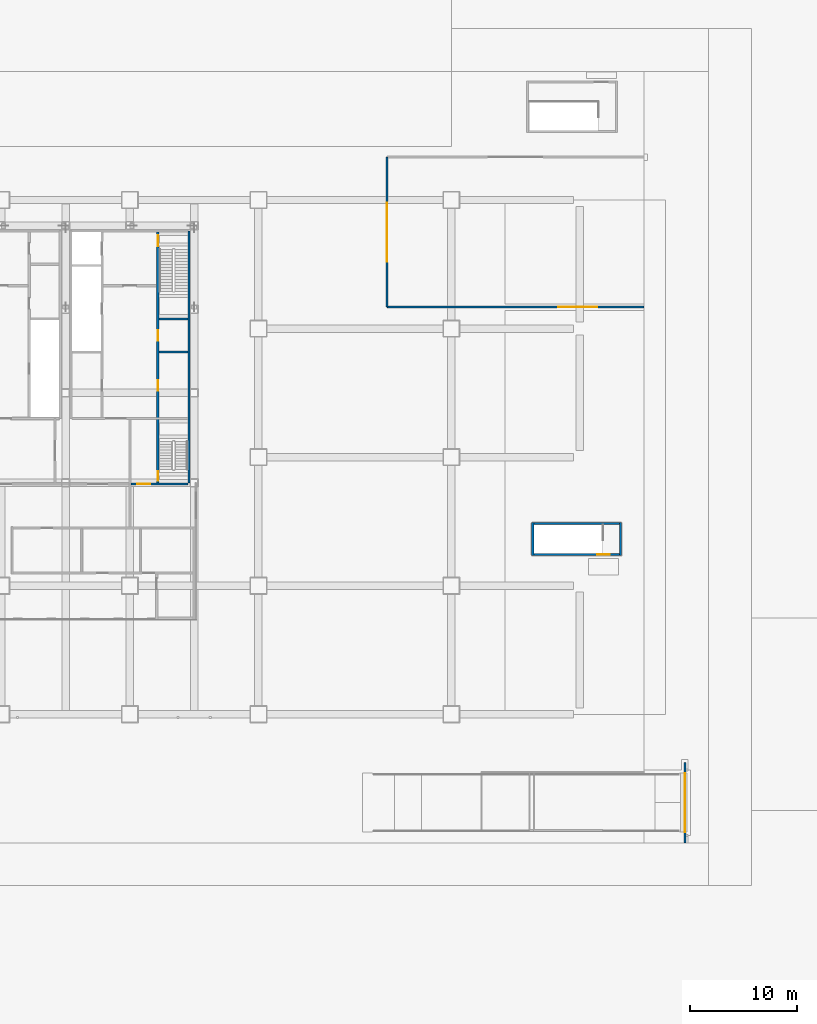
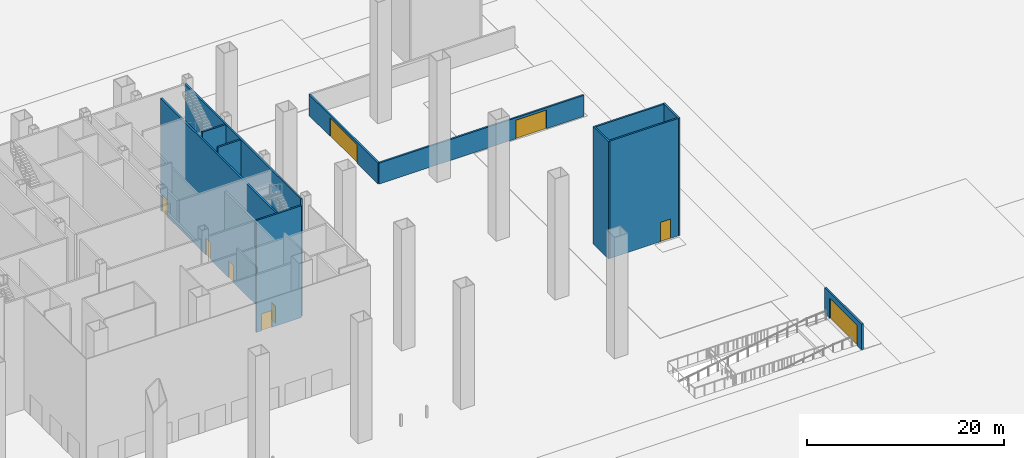
# One storey, part 9 of 22: 12 walls, 9 doors, 9 openings.
"""IFC4 building model written with IfcOpenShell, lengths in metres."""

from ifc_helpers import new_model, si_unit, direction, frame, frame_2d, origin, place, context, subcontext, project, spatial, rectangle, extrude, material, layer, layer_set, type_object, element, fill, save


model = new_model("IFC4")

# Units and contexts
model_context = context("Model", 3, precision=1e-05, world=origin(), true_north=direction((0.0, 1.0)))
body_context = subcontext(model_context, "Body", "Model", "MODEL_VIEW")
ifc_project = project(units=[si_unit("LENGTHUNIT", "METRE"), si_unit("AREAUNIT", "SQUARE_METRE"), si_unit("VOLUMEUNIT", "CUBIC_METRE"), si_unit("PLANEANGLEUNIT", "RADIAN"), si_unit("MASSUNIT", "GRAM", prefix="KILO")], contexts=[model_context])

# Site, building, storey
site_placement = place(None, origin())
site = spatial("IfcSite", under=ifc_project, at=site_placement, CompositionType="ELEMENT")
building_placement = place(site_placement, origin())
building = spatial("IfcBuilding", under=site, at=building_placement, Name="Sorahane Residences", CompositionType="ELEMENT")
storey_placement = place(building_placement, origin())
storey = spatial("IfcBuildingStorey", under=building, at=storey_placement, Name="L00", CompositionType="ELEMENT", Elevation=0.0)

# Walls
ifc_material_1 = material(Name="Concrete C30", Category="concrete")
ifc_layer_1 = layer(ifc_material_1, 0.199951171875)
ifc_layer_set_1 = layer_set([ifc_layer_1], Name="Core face wall 200 EI 180")
wall_type_1 = type_object("IfcWallType", Name="Core face wall 200 EI 180", PredefinedType="SOLIDWALL", material=ifc_layer_set_1)
wall_1_placement = place(storey_placement, frame((41.5, 21.60009765625, 0.0), z_axis=(0.0, 0.0, 1.0), x_axis=(0.0, 1.0, 0.0)))
element("IfcWall", 1, at=wall_1_placement, inside=storey, type_object=wall_type_1, Name="L00 core face wall", PredefinedType="SOLIDWALL", context=body_context, shape_type="SweptSolid", body=[
    extrude(rectangle(XDim=23.5, YDim=0.199951171875, at=frame_2d((11.75, 0.0))), origin(), (0.0, 0.0, 1.0), 14.550048828125),
])
ifc_material_2 = material(Name="Concrete blockwork C20 wall", Category="masonry")
ifc_layer_2 = layer(ifc_material_2, 0.199951171875)
ifc_layer_set_2 = layer_set([ifc_layer_2], Name="Fire wall 200 EI 120")
wall_type_2 = type_object("IfcWallType", Name="Fire wall 200 EI 120", PredefinedType="SOLIDWALL", material=ifc_layer_set_2)
for number, where, z_axis, x_axis, name in (
    (2, (73.60009765625, 14.800048828125, 0.0), (0.0, 0.0, 1.0), (0.0, 1.0, 0.0), "L00 fire wall"),
    (3, (81.800048828125, 14.800048828125, 0.0), (0.0, 0.0, 1.0), (0.0, 1.0, 0.0), "L00 fire wall"),
):
    element("IfcWall", number, at=place(storey_placement, frame(where, z_axis=z_axis, x_axis=x_axis)), inside=storey, type_object=wall_type_2, Name=name, PredefinedType="SOLIDWALL", context=body_context, shape_type="SweptSolid", body=[
        extrude(rectangle(XDim=3.099853515625, YDim=0.199951171875, at=frame_2d((1.5498046875, 0.0))), origin(), (0.0, 0.0, 1.0), 14.550048828125),
    ])

# Wall, opening, door
wall_2_placement = place(storey_placement, frame((73.699951171875, 14.89990234375, 0.0), z_axis=(0.0, 0.0, 1.0), x_axis=(1.0, 0.0, 0.0)))
wall_2 = element("IfcWall", 4, at=wall_2_placement, inside=storey, type_object=wall_type_2, Name="L00 fire wall", PredefinedType="SOLIDWALL", context=body_context, shape_type="SweptSolid", body=[
    extrude(rectangle(XDim=8.0, YDim=0.199951171875, at=frame_2d((4.0, 0.0))), origin(), (0.0, 0.0, 1.0), 14.550048828125),
])
opening_1_placement = place(wall_2_placement, frame((5.89990234375, 0.0, 0.0)))
opening_1 = element("IfcOpeningElement", 5, at=opening_1_placement, cuts=wall_2, Name="Opening L00-09", PredefinedType="OPENING", context=body_context, shape_type="SweptSolid", body=[
    extrude(rectangle(XDim=1.199951171875, YDim=2.39990234375, at=frame_2d((0.60009765625, 1.199951171875))), frame((0.0, 0.10986328125, 0.0), z_axis=(0.0, -1.0, 0.0), x_axis=(1.0, 0.0, 0.0)), (0.0, 0.0, 1.0), 0.219970703125),
])
ifc_material_3 = material(Name="Steel", Category="steel")
door_type_1 = type_object("IfcDoorType", Name="Stair door 1200x2400 FD60", OperationType="NOTDEFINED", PredefinedType="DOOR", material=ifc_material_3)
door_1_placement = place(opening_1_placement, frame((1.199951171875, 0.0, 0.0), z_axis=(0.0, 0.0, 1.0), x_axis=(-1.0, 0.0, 0.0)))
door_1 = element("IfcDoor", 6, at=door_1_placement, inside=storey, type_object=door_type_1, Name="Stair door L00-09", OperationType="SINGLE_SWING_RIGHT", OverallHeight=2.39990234375, OverallWidth=1.199951171875, PredefinedType="DOOR", context=body_context, shape_type="SweptSolid", body=[
    extrude(rectangle(XDim=1.199951171875, YDim=2.39990234375, at=frame_2d((0.60009765625, 1.199951171875))), frame((0.0, 0.02490234375, 0.0), z_axis=(0.0, -1.0, 0.0), x_axis=(1.0, 0.0, 0.0)), (0.0, 0.0, 1.0), 0.050048828125),
])
fill(opening_1, door_1)

# Wall
wall_3_placement = place(storey_placement, frame((73.699951171875, 17.800048828125, 0.0), z_axis=(0.0, 0.0, 1.0), x_axis=(1.0, 0.0, 0.0)))
element("IfcWall", 7, at=wall_3_placement, inside=storey, type_object=wall_type_2, Name="L00 fire wall", PredefinedType="SOLIDWALL", context=body_context, shape_type="SweptSolid", body=[
    extrude(rectangle(XDim=8.0, YDim=0.199951171875, at=frame_2d((4.0, 0.0))), origin(), (0.0, 0.0, 1.0), 14.550048828125),
])

# Wall, opening, door
ifc_material_4 = material(Name="Concrete C30", Category="concrete")
ifc_layer_3 = layer(ifc_material_4, 0.199951171875)
ifc_layer_set_3 = layer_set([ifc_layer_3], Name="Gate screen wall 200 Concrete C30")
wall_type_3 = type_object("IfcWallType", Name="Gate screen wall 200 Concrete C30", PredefinedType="SOLIDWALL", material=ifc_layer_set_3)
wall_4_placement = place(storey_placement, frame((87.800048828125, -12.0, 0.0), z_axis=(0.0, 0.0, 1.0), x_axis=(0.0, 1.0, 0.0)))
wall_4 = element("IfcWall", 8, at=wall_4_placement, inside=storey, type_object=wall_type_3, Name="East ramp portal gate screen", PredefinedType="SOLIDWALL", context=body_context, shape_type="SweptSolid", body=[
    extrude(rectangle(XDim=7.5, YDim=0.199951171875, at=frame_2d((3.75, 0.0))), origin(), (0.0, 0.0, 1.0), 3.199951171875),
])
opening_2_placement = place(wall_4_placement, frame((1.0, 0.0, 0.0)))
opening_2 = element("IfcOpeningElement", 9, at=opening_2_placement, cuts=wall_4, Name="Opening G-E", PredefinedType="OPENING", context=body_context, shape_type="SweptSolid", body=[
    extrude(rectangle(XDim=5.5, YDim=2.5, at=frame_2d((2.75, 1.25))), frame((0.0, 0.10986328125, 0.0), z_axis=(0.0, -1.0, 0.0), x_axis=(1.0, 0.0, 0.0)), (0.0, 0.0, 1.0), 0.219970703125),
])
ifc_material_5 = material(Name="Galvanised steel", Category="steel")
door_type_2 = type_object("IfcDoorType", Name="Vehicle gate sliding 5500x2500 Steel", OperationType="SLIDING_TO_LEFT", PredefinedType="GATE", material=ifc_material_5)
door_2_placement = place(opening_2_placement, origin())
door_2 = element("IfcDoor", 10, at=door_2_placement, inside=storey, type_object=door_type_2, Name="Vehicle gate East ramp portal", OperationType="SLIDING_TO_LEFT", OverallHeight=2.5, OverallWidth=5.5, PredefinedType="GATE", context=body_context, shape_type="SweptSolid", body=[
    extrude(rectangle(XDim=5.5, YDim=2.5, at=frame_2d((2.75, 1.25))), frame((0.0, 0.02490234375, 0.0), z_axis=(0.0, -1.0, 0.0), x_axis=(1.0, 0.0, 0.0)), (0.0, 0.0, 1.0), 0.050048828125),
])
fill(opening_2, door_2)

wall_5_placement = place(storey_placement, frame((60.0, 38.0, 0.0), z_axis=(0.0, 0.0, 1.0), x_axis=(0.0, 1.0, 0.0)))
wall_5 = element("IfcWall", 11, at=wall_5_placement, inside=storey, type_object=wall_type_3, Name="Service yard west gate screen", PredefinedType="SOLIDWALL", context=body_context, shape_type="SweptSolid", body=[
    extrude(rectangle(XDim=14.0, YDim=0.199951171875, at=frame_2d((7.0, 0.0))), origin(), (0.0, 0.0, 1.0), 2.60009765625),
])
opening_3_placement = place(wall_5_placement, frame((4.25, 0.0, 0.0)))
opening_3 = element("IfcOpeningElement", 12, at=opening_3_placement, cuts=wall_5, Name="Opening G-YW", PredefinedType="OPENING", context=body_context, shape_type="SweptSolid", body=[
    extrude(rectangle(XDim=5.5, YDim=2.300048828125, at=frame_2d((2.75, 1.14990234375))), frame((0.0, 0.10986328125, 0.0), z_axis=(0.0, -1.0, 0.0), x_axis=(1.0, 0.0, 0.0)), (0.0, 0.0, 1.0), 0.219970703125),
])
ifc_material_6 = material(Name="Galvanised steel", Category="steel")
door_type_3 = type_object("IfcDoorType", Name="Vehicle gate sliding 5500x2300 Steel", OperationType="SLIDING_TO_LEFT", PredefinedType="GATE", material=ifc_material_6)
door_3_placement = place(opening_3_placement, origin())
door_3 = element("IfcDoor", 13, at=door_3_placement, inside=storey, type_object=door_type_3, Name="Vehicle gate Service yard west", OperationType="SLIDING_TO_LEFT", OverallHeight=2.300048828125, OverallWidth=5.5, PredefinedType="GATE", context=body_context, shape_type="SweptSolid", body=[
    extrude(rectangle(XDim=5.5, YDim=2.300048828125, at=frame_2d((2.75, 1.14990234375))), frame((0.0, 0.02490234375, 0.0), z_axis=(0.0, -1.0, 0.0), x_axis=(1.0, 0.0, 0.0)), (0.0, 0.0, 1.0), 0.050048828125),
])
fill(opening_3, door_3)

wall_6_placement = place(storey_placement, frame((60.0, 38.0, 0.0), z_axis=(0.0, 0.0, 1.0), x_axis=(1.0, 0.0, 0.0)))
wall_6 = element("IfcWall", 14, at=wall_6_placement, inside=storey, type_object=wall_type_3, Name="Loading bay gate screen", PredefinedType="SOLIDWALL", context=body_context, shape_type="SweptSolid", body=[
    extrude(rectangle(XDim=24.0, YDim=0.199951171875, at=frame_2d((12.0, 0.0))), origin(), (0.0, 0.0, 1.0), 2.60009765625),
])
opening_4_placement = place(wall_6_placement, frame((16.0, 0.0, 0.0)))
opening_4 = element("IfcOpeningElement", 15, at=opening_4_placement, cuts=wall_6, Name="Opening G-YS", PredefinedType="OPENING", context=body_context, shape_type="SweptSolid", body=[
    extrude(rectangle(XDim=3.60009765625, YDim=2.300048828125, at=frame_2d((1.800048828125, 1.14990234375))), frame((0.0, 0.10986328125, 0.0), z_axis=(0.0, -1.0, 0.0), x_axis=(1.0, 0.0, 0.0)), (0.0, 0.0, 1.0), 0.219970703125),
])
ifc_material_7 = material(Name="Galvanised steel", Category="steel")
door_type_4 = type_object("IfcDoorType", Name="Vehicle gate sliding 3600x2300 Steel", OperationType="SLIDING_TO_LEFT", PredefinedType="GATE", material=ifc_material_7)
door_4_placement = place(opening_4_placement, origin())
door_4 = element("IfcDoor", 16, at=door_4_placement, inside=storey, type_object=door_type_4, Name="Vehicle gate Loading bay", OperationType="SLIDING_TO_LEFT", OverallHeight=2.300048828125, OverallWidth=3.60009765625, PredefinedType="GATE", context=body_context, shape_type="SweptSolid", body=[
    extrude(rectangle(XDim=3.60009765625, YDim=2.300048828125, at=frame_2d((1.800048828125, 1.14990234375))), frame((0.0, 0.02490234375, 0.0), z_axis=(0.0, -1.0, 0.0), x_axis=(1.0, 0.0, 0.0)), (0.0, 0.0, 1.0), 0.050048828125),
])
fill(opening_4, door_4)

# Wall
ifc_material_8 = material(Name="Concrete C30", Category="concrete")
ifc_layer_4 = layer(ifc_material_8, 0.199951171875)
ifc_layer_set_4 = layer_set([ifc_layer_4], Name="Service room partition 200 EI 60")
wall_type_4 = type_object("IfcWallType", Name="Service room partition 200 EI 60", PredefinedType="PARTITIONING", material=ifc_layer_set_4)
wall_7_placement = place(storey_placement, frame((38.699951171875, 33.800048828125, 0.0), z_axis=(0.0, 0.0, 1.0), x_axis=(1.0, 0.0, 0.0)))
element("IfcWall", 17, at=wall_7_placement, inside=storey, type_object=wall_type_4, Name="L00 service room wall", PredefinedType="PARTITIONING", context=body_context, shape_type="SweptSolid", body=[
    extrude(rectangle(XDim=2.699951171875, YDim=0.199951171875, at=frame_2d((1.35009765625, 0.0))), origin(), (0.0, 0.0, 1.0), 14.550048828125),
])

# Wall, openings, doors
ifc_material_9 = material(Name="Concrete C30", Category="concrete")
ifc_layer_5 = layer(ifc_material_9, 0.199951171875)
ifc_layer_set_5 = layer_set([ifc_layer_5], Name="Stair enclosure wall 200 EI 120")
wall_type_5 = type_object("IfcWallType", Name="Stair enclosure wall 200 EI 120", PredefinedType="SOLIDWALL", material=ifc_layer_set_5)
wall_8_placement = place(storey_placement, frame((38.60009765625, 21.5, 0.0), z_axis=(0.0, 0.0, 1.0), x_axis=(0.0, 1.0, 0.0)))
wall_8 = element("IfcWall", 18, at=wall_8_placement, inside=storey, type_object=wall_type_5, Name="L00 stair enclosure wall", PredefinedType="SOLIDWALL", context=body_context, shape_type="SweptSolid", body=[
    extrude(rectangle(XDim=23.5, YDim=0.199951171875, at=frame_2d((11.75, 0.0))), origin(), (0.0, 0.0, 1.0), 13.85009765625),
])
opening_5_placement = place(wall_8_placement, frame((8.699951171875, 0.0, 0.0)))
opening_5 = element("IfcOpeningElement", 19, at=opening_5_placement, cuts=wall_8, Name="Opening L00-C23", PredefinedType="OPENING", context=body_context, shape_type="SweptSolid", body=[
    extrude(rectangle(XDim=1.0, YDim=2.10009765625, at=frame_2d((0.5, 1.050048828125))), frame((0.0, 0.10986328125, 0.0), z_axis=(0.0, -1.0, 0.0), x_axis=(1.0, 0.0, 0.0)), (0.0, 0.0, 1.0), 0.219970703125),
])
opening_6_placement = place(wall_8_placement, frame((13.35009765625, 0.0, 0.0)))
opening_6 = element("IfcOpeningElement", 20, at=opening_6_placement, cuts=wall_8, Name="Opening L00-C24", PredefinedType="OPENING", context=body_context, shape_type="SweptSolid", body=[
    extrude(rectangle(XDim=1.0, YDim=2.10009765625, at=frame_2d((0.5, 1.050048828125))), frame((0.0, 0.10986328125, 0.0), z_axis=(0.0, -1.0, 0.0), x_axis=(1.0, 0.0, 0.0)), (0.0, 0.0, 1.0), 0.219970703125),
])
opening_7_placement = place(wall_8_placement, frame((22.199951171875, 0.0, 0.0)))
opening_7 = element("IfcOpeningElement", 21, at=opening_7_placement, cuts=wall_8, Name="Opening L00-C27", PredefinedType="OPENING", context=body_context, shape_type="SweptSolid", body=[
    extrude(rectangle(XDim=1.0, YDim=2.10009765625, at=frame_2d((0.5, 1.050048828125))), frame((0.0, 0.10986328125, 0.0), z_axis=(0.0, -1.0, 0.0), x_axis=(1.0, 0.0, 0.0)), (0.0, 0.0, 1.0), 0.219970703125),
])
opening_8_placement = place(wall_8_placement, frame((0.27490234375, 0.0, 0.0)))
opening_8 = element("IfcOpeningElement", 22, at=opening_8_placement, cuts=wall_8, Name="Opening L00-C30", PredefinedType="OPENING", context=body_context, shape_type="SweptSolid", body=[
    extrude(rectangle(XDim=0.89990234375, YDim=2.10009765625, at=frame_2d((0.449951171875, 1.050048828125))), frame((0.0, 0.10986328125, 0.0), z_axis=(0.0, -1.0, 0.0), x_axis=(1.0, 0.0, 0.0)), (0.0, 0.0, 1.0), 0.219970703125),
])
ifc_material_10 = material(Name="Steel", Category="steel")
door_type_5 = type_object("IfcDoorType", Name="Service room door 1000x2100 FD60", OperationType="NOTDEFINED", PredefinedType="DOOR", material=ifc_material_10)
door_5_placement = place(opening_5_placement, frame((1.0, 0.0, 0.0), z_axis=(0.0, 0.0, 1.0), x_axis=(-1.0, 0.0, 0.0)))
door_5 = element("IfcDoor", 23, at=door_5_placement, inside=storey, type_object=door_type_5, Name="Service room door Archive L00", OperationType="SINGLE_SWING_RIGHT", OverallHeight=2.10009765625, OverallWidth=1.0, PredefinedType="DOOR", context=body_context, shape_type="SweptSolid", body=[
    extrude(rectangle(XDim=1.0, YDim=2.10009765625, at=frame_2d((0.5, 1.050048828125))), frame((0.0, 0.02490234375, 0.0), z_axis=(0.0, -1.0, 0.0), x_axis=(1.0, 0.0, 0.0)), (0.0, 0.0, 1.0), 0.050048828125),
])
fill(opening_5, door_5)
door_6_placement = place(opening_6_placement, frame((1.0, 0.0, 0.0), z_axis=(0.0, 0.0, 1.0), x_axis=(-1.0, 0.0, 0.0)))
door_6 = element("IfcDoor", 24, at=door_6_placement, inside=storey, type_object=door_type_5, Name="Service room door Flower room L00", OperationType="SINGLE_SWING_LEFT", OverallHeight=2.10009765625, OverallWidth=1.0, PredefinedType="DOOR", context=body_context, shape_type="SweptSolid", body=[
    extrude(rectangle(XDim=1.0, YDim=2.10009765625, at=frame_2d((0.5, 1.050048828125))), frame((0.0, 0.02490234375, 0.0), z_axis=(0.0, -1.0, 0.0), x_axis=(1.0, 0.0, 0.0)), (0.0, 0.0, 1.0), 0.050048828125),
])
fill(opening_6, door_6)
ifc_material_11 = material(Name="Steel", Category="steel")
door_type_6 = type_object("IfcDoorType", Name="Stair door 1000x2100 FD120", OperationType="NOTDEFINED", PredefinedType="DOOR", material=ifc_material_11)
door_7_placement = place(opening_7_placement, frame((1.0, 0.0, 0.0), z_axis=(0.0, 0.0, 1.0), x_axis=(-1.0, 0.0, 0.0)))
door_7 = element("IfcDoor", 25, at=door_7_placement, inside=storey, type_object=door_type_6, Name="Stair door S2 L00", OperationType="SINGLE_SWING_LEFT", OverallHeight=2.10009765625, OverallWidth=1.0, PredefinedType="DOOR", context=body_context, shape_type="SweptSolid", body=[
    extrude(rectangle(XDim=1.0, YDim=2.10009765625, at=frame_2d((0.5, 1.050048828125))), frame((0.0, 0.02490234375, 0.0), z_axis=(0.0, -1.0, 0.0), x_axis=(1.0, 0.0, 0.0)), (0.0, 0.0, 1.0), 0.050048828125),
])
fill(opening_7, door_7)
ifc_material_12 = material(Name="Steel", Category="steel")
door_type_7 = type_object("IfcDoorType", Name="Stair door 900x2100 FD120", OperationType="NOTDEFINED", PredefinedType="DOOR", material=ifc_material_12)
door_8_placement = place(opening_8_placement, frame((0.89990234375, 0.0, 0.0), z_axis=(0.0, 0.0, 1.0), x_axis=(-1.0, 0.0, 0.0)))
door_8 = element("IfcDoor", 26, at=door_8_placement, inside=storey, type_object=door_type_7, Name="Stair door S5 L00", OperationType="SINGLE_SWING_LEFT", OverallHeight=2.10009765625, OverallWidth=0.89990234375, PredefinedType="DOOR", context=body_context, shape_type="SweptSolid", body=[
    extrude(rectangle(XDim=0.89990234375, YDim=2.10009765625, at=frame_2d((0.449951171875, 1.050048828125))), frame((0.0, 0.02490234375, 0.0), z_axis=(0.0, -1.0, 0.0), x_axis=(1.0, 0.0, 0.0)), (0.0, 0.0, 1.0), 0.050048828125),
])
fill(opening_8, door_8)

# Wall, opening, door
wall_9_placement = place(storey_placement, frame((36.10009765625, 21.5, 0.0), z_axis=(0.0, 0.0, 1.0), x_axis=(1.0, 0.0, 0.0)))
wall_9 = element("IfcWall", 27, at=wall_9_placement, inside=storey, type_object=wall_type_5, Name="L00 stair enclosure wall", PredefinedType="SOLIDWALL", context=body_context, shape_type="SweptSolid", body=[
    extrude(rectangle(XDim=5.2998046875, YDim=0.199951171875, at=frame_2d((2.64990234375, 0.0))), origin(), (0.0, 0.0, 1.0), 13.85009765625),
])
opening_9_placement = place(wall_9_placement, frame((0.60009765625, 0.0, 0.0)))
opening_9 = element("IfcOpeningElement", 28, at=opening_9_placement, cuts=wall_9, Name="Opening L00-C07", PredefinedType="OPENING", context=body_context, shape_type="SweptSolid", body=[
    extrude(rectangle(XDim=1.199951171875, YDim=2.10009765625, at=frame_2d((0.60009765625, 1.050048828125))), frame((0.0, 0.10986328125, 0.0), z_axis=(0.0, -1.0, 0.0), x_axis=(1.0, 0.0, 0.0)), (0.0, 0.0, 1.0), 0.219970703125),
])
ifc_material_13 = material(Name="Steel", Category="steel")
door_type_8 = type_object("IfcDoorType", Name="Stair front room door 1200x2100 FD120", OperationType="NOTDEFINED", PredefinedType="DOOR", material=ifc_material_13)
door_9_placement = place(opening_9_placement, frame((1.199951171875, 0.0, 0.0), z_axis=(0.0, 0.0, 1.0), x_axis=(-1.0, 0.0, 0.0)))
door_9 = element("IfcDoor", 29, at=door_9_placement, inside=storey, type_object=door_type_8, Name="Stair front room door Stair S5 front room L00", OperationType="SINGLE_SWING_RIGHT", OverallHeight=2.10009765625, OverallWidth=1.199951171875, PredefinedType="DOOR", context=body_context, shape_type="SweptSolid", body=[
    extrude(rectangle(XDim=1.199951171875, YDim=2.10009765625, at=frame_2d((0.60009765625, 1.050048828125))), frame((0.0, 0.02490234375, 0.0), z_axis=(0.0, -1.0, 0.0), x_axis=(1.0, 0.0, 0.0)), (0.0, 0.0, 1.0), 0.050048828125),
])
fill(opening_9, door_9)

# Wall
wall_10_placement = place(storey_placement, frame((38.699951171875, 36.89990234375, 0.0), z_axis=(0.0, 0.0, 1.0), x_axis=(1.0, 0.0, 0.0)))
element("IfcWall", 30, at=wall_10_placement, inside=storey, type_object=wall_type_5, Name="L00 stair enclosure wall", PredefinedType="SOLIDWALL", context=body_context, shape_type="SweptSolid", body=[
    extrude(rectangle(XDim=2.699951171875, YDim=0.199951171875, at=frame_2d((1.35009765625, 0.0))), origin(), (0.0, 0.0, 1.0), 14.550048828125),
])

save(model, "model.ifc")
